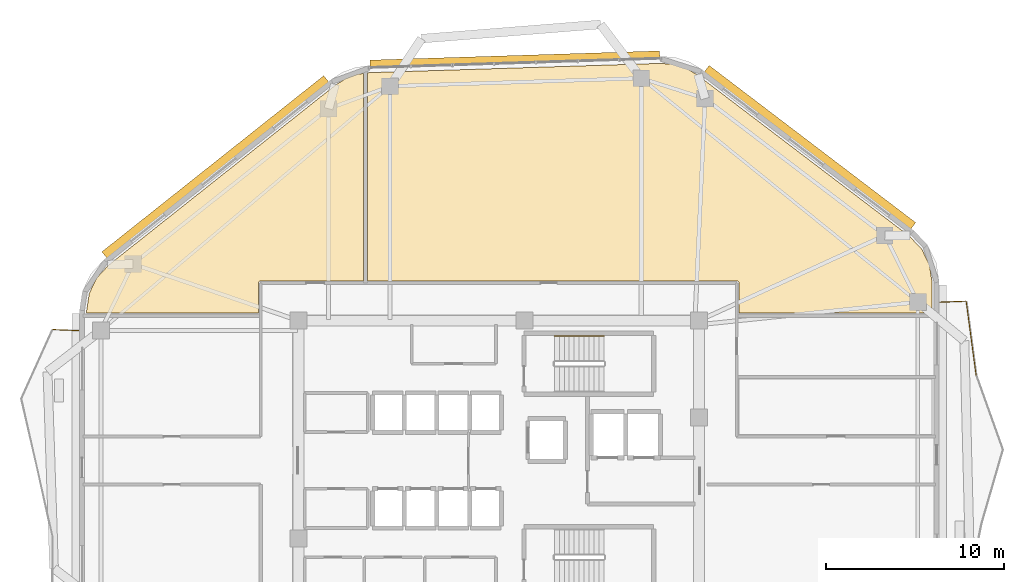
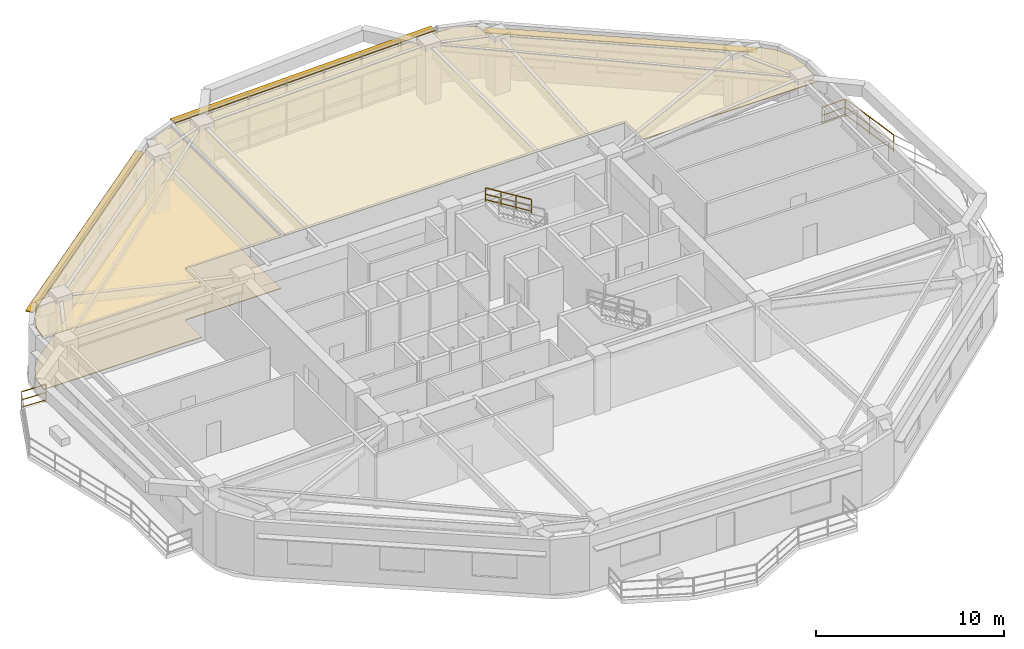
# One storey, part 12 of 12: 4 railings, 3 coverings, 3 shading devices.
"""IFC4 building model written with IfcOpenShell, lengths in metres."""

from ifc_helpers import new_model, si_unit, direction, frame, origin, origin_2d, place, context, subcontext, project, spatial, polyline, rectangle, outline, extrude, material, layer, layer_set, type_object, element, save


model = new_model("IFC4")

# Units and contexts
model_context = context("Model", 3, precision=1e-05, world=origin(), true_north=direction((0.0, 1.0)))
body_context = subcontext(model_context, "Body", "Model", "MODEL_VIEW")
ifc_project = project(units=[si_unit("LENGTHUNIT", "METRE"), si_unit("AREAUNIT", "SQUARE_METRE"), si_unit("VOLUMEUNIT", "CUBIC_METRE"), si_unit("PLANEANGLEUNIT", "RADIAN"), si_unit("MASSUNIT", "GRAM", prefix="KILO")], contexts=[model_context])

# Site, building, storey
site_placement = place(None, origin())
site = spatial("IfcSite", under=ifc_project, at=site_placement, CompositionType="ELEMENT")
building_placement = place(site_placement, origin())
building = spatial("IfcBuilding", under=site, at=building_placement, Name="Zulverin Broadcast Headquarters", CompositionType="ELEMENT")
storey_placement = place(building_placement, frame((0.0, 0.0, 170.60009765625)))
storey = spatial("IfcBuildingStorey", under=building, at=storey_placement, Name="L43", CompositionType="ELEMENT", Elevation=170.60009765625)

# Coverings
ifc_material_1 = material(Name="Perforated pale-metal acoustic baffle ceiling", Category="aluminium")
ifc_layer_1 = layer(ifc_material_1, 0.0400390625, Name="Perforated pale-metal acoustic baffle ceiling", Category="aluminium")
ifc_layer_set_1 = layer_set([ifc_layer_1], Name="Perforated pale-metal acoustic baffle ceiling")
covering_type_1 = type_object("IfcCoveringType", Name="COV-CEIL-ACOU", PredefinedType="CEILING", material=ifc_layer_set_1)
covering_1_placement = place(storey_placement, frame((0.0, 0.0, 3.35986328125)))
element("IfcCovering", 1, at=covering_1_placement, inside=storey, type_object=covering_type_1, Name="L43 Acoustic Baffle Ceiling 01", PredefinedType="CEILING", context=body_context, shape_type="SweptSolid", body=[
    extrude(outline(polyline([(29.031982421875, 46.944091796875), (28.39599609375, 46.7080078125), (27.800048828125, 46.33203125), (15.031982421875, 36.199951171875), (14.364013671875, 35.47607421875), (13.947998046875, 34.615966796875), (13.800048828125, 33.64404296875), (13.800048828125, 33.5), (23.47998046875, 33.5), (23.47998046875, 35.199951171875), (23.47998046875, 35.2119140625), (23.48388671875, 35.22412109375), (23.48388671875, 35.236083984375), (23.488037109375, 35.243896484375), (23.49609375, 35.256103515625), (23.5, 35.26806640625), (23.508056640625, 35.27587890625), (23.51611328125, 35.283935546875), (23.52392578125, 35.2919921875), (23.531982421875, 35.300048828125), (23.5439453125, 35.303955078125), (23.555908203125, 35.31201171875), (23.56396484375, 35.31591796875), (23.575927734375, 35.31591796875), (23.587890625, 35.320068359375), (23.60009765625, 35.320068359375), (29.3798828125, 35.320068359375), (29.3798828125, 46.991943359375), (29.031982421875, 46.944091796875)])), origin(), (0.0, 0.0, 1.0), 0.0400390625),
])
covering_2_placement = place(storey_placement, frame((0.0, 0.0, 3.35986328125)))
element("IfcCovering", 2, at=covering_2_placement, inside=storey, type_object=covering_type_1, Name="L43 Acoustic Baffle Ceiling 02", PredefinedType="CEILING", context=body_context, shape_type="SweptSolid", body=[
    extrude(outline(polyline([(60.112060546875, 37.840087890625), (48.2080078125, 46.89208984375), (47.568115234375, 47.27587890625), (46.8759765625, 47.49609375), (46.1279296875, 47.56005859375), (29.73193359375, 47.0400390625), (29.6201171875, 47.02392578125), (29.6201171875, 35.320068359375), (50.39990234375, 35.320068359375), (50.412109375, 35.320068359375), (50.424072265625, 35.31591796875), (50.43603515625, 35.31591796875), (50.444091796875, 35.31201171875), (50.4560546875, 35.303955078125), (50.468017578125, 35.300048828125), (50.47607421875, 35.2919921875), (50.48388671875, 35.283935546875), (50.491943359375, 35.27587890625), (50.5, 35.26806640625), (50.50390625, 35.256103515625), (50.511962890625, 35.243896484375), (50.51611328125, 35.236083984375), (50.51611328125, 35.22412109375), (50.52001953125, 35.2119140625), (50.52001953125, 35.199951171875), (50.52001953125, 33.5), (61.39990234375, 33.5), (61.39990234375, 35.239990234375), (61.243896484375, 36.236083984375), (60.81201171875, 37.112060546875), (60.112060546875, 37.840087890625)])), origin(), (0.0, 0.0, 1.0), 0.0400390625),
])
ifc_material_2 = material(Name="Anti-static broadcast raised access flooring", Category="stone")
ifc_layer_2 = layer(ifc_material_2, 0.050048828125, Name="Anti-static broadcast raised access flooring", Category="stone")
ifc_layer_set_2 = layer_set([ifc_layer_2], Name="Anti-static broadcast raised access flooring")
covering_type_2 = type_object("IfcCoveringType", Name="COV-FLR-RAISED", PredefinedType="FLOORING", material=ifc_layer_set_2)
covering_3_placement = place(storey_placement, origin())
element("IfcCovering", 3, at=covering_3_placement, inside=storey, type_object=covering_type_2, Name="L43 Broadcast Raised Access Flooring 01", PredefinedType="FLOORING", context=body_context, shape_type="SweptSolid", body=[
    extrude(outline(polyline([(29.031982421875, 46.944091796875), (28.39599609375, 46.7080078125), (27.800048828125, 46.33203125), (15.031982421875, 36.199951171875), (14.364013671875, 35.47607421875), (13.947998046875, 34.615966796875), (13.800048828125, 33.64404296875), (13.800048828125, 33.5), (23.47998046875, 33.5), (23.47998046875, 35.199951171875), (23.47998046875, 35.2119140625), (23.48388671875, 35.22412109375), (23.48388671875, 35.236083984375), (23.488037109375, 35.243896484375), (23.49609375, 35.256103515625), (23.5, 35.26806640625), (23.508056640625, 35.27587890625), (23.51611328125, 35.283935546875), (23.52392578125, 35.2919921875), (23.531982421875, 35.300048828125), (23.5439453125, 35.303955078125), (23.555908203125, 35.31201171875), (23.56396484375, 35.31591796875), (23.575927734375, 35.31591796875), (23.587890625, 35.320068359375), (23.60009765625, 35.320068359375), (29.3798828125, 35.320068359375), (29.3798828125, 46.991943359375), (29.031982421875, 46.944091796875)])), origin(), (0.0, 0.0, 1.0), 0.0498046875),
])

# Railings
ifc_material_3 = material(Name="Brushed stainless steel & laminated glass balustrade", Category="steel")
railing_type_1 = type_object("IfcRailingType", Name="RL-GUARD-1150", PredefinedType="GUARDRAIL", material=ifc_material_3)
railing_1_placement = place(storey_placement, frame((63.877197265625, 30.0107421875, 0.0)))
element("IfcRailing", 4, at=railing_1_placement, inside=storey, type_object=railing_type_1, Name="L43 Vertical-Forest Balcony Guardrail BAL_E Segment 05", PredefinedType="GUARDRAIL", context=body_context, shape_type="SweptSolid", body=[
    extrude(rectangle(XDim=0.048095703125, YDim=0.048095703125, at=origin_2d()), frame((0.0, 0.0, 1.1259765625), z_axis=(-0.132729539828, 0.991152293675, 0.0), x_axis=(-0.991152293675, -0.132729539828, 0.0)), (0.0, 0.0, 1.0), 4.182861328125),
    extrude(rectangle(XDim=0.0419921875, YDim=0.0419921875, at=origin_2d()), frame((0.0, 0.0, 0.597900390625), z_axis=(-0.132729539828, 0.991152293675, 0.0), x_axis=(-0.991152293675, -0.132729539828, 0.0)), (0.0, 0.0, 1.0), 4.182861328125),
    extrude(rectangle(XDim=0.0419921875, YDim=0.0419921875, at=origin_2d()), frame((0.0, 0.0, 0.1201171875), z_axis=(-0.132729539828, 0.991152293675, 0.0), x_axis=(-0.991152293675, -0.132729539828, 0.0)), (0.0, 0.0, 1.0), 4.182861328125),
    extrude(rectangle(XDim=0.0419921875, YDim=0.0419921875, at=origin_2d()), origin(), (0.0, 0.0, 1.0), 1.101806640625),
    extrude(rectangle(XDim=0.0419921875, YDim=0.0419921875, at=origin_2d()), frame((-0.277587890625, 2.07275390625, 0.0)), (0.0, 0.0, 1.0), 1.101806640625),
    extrude(rectangle(XDim=0.0419921875, YDim=0.0419921875, at=origin_2d()), frame((-0.55517578125, 4.145751953125, 0.0)), (0.0, 0.0, 1.0), 1.101806640625),
])
railing_2_placement = place(storey_placement, frame((63.304931640625, 34.1708984375, 0.0)))
element("IfcRailing", 5, at=railing_2_placement, inside=storey, type_object=railing_type_1, Name="L43 Vertical-Forest Balcony Guardrail BAL_E Segment 06", PredefinedType="GUARDRAIL", context=body_context, shape_type="SweptSolid", body=[
    extrude(rectangle(XDim=0.048095703125, YDim=0.048095703125, at=origin_2d()), frame((0.0, 0.0, 1.1259765625), z_axis=(-0.99918088253, -0.040466825742, 0.0), x_axis=(0.040466825742, -0.99918088253, 0.0)), (0.0, 0.0, 1.0), 1.466064453125),
    extrude(rectangle(XDim=0.0419921875, YDim=0.0419921875, at=origin_2d()), frame((0.0, 0.0, 0.597900390625), z_axis=(-0.99918088253, -0.040466825742, 0.0), x_axis=(0.040466825742, -0.99918088253, 0.0)), (0.0, 0.0, 1.0), 1.466064453125),
    extrude(rectangle(XDim=0.0419921875, YDim=0.0419921875, at=origin_2d()), frame((0.0, 0.0, 0.1201171875), z_axis=(-0.99918088253, -0.040466825742, 0.0), x_axis=(0.040466825742, -0.99918088253, 0.0)), (0.0, 0.0, 1.0), 1.466064453125),
    extrude(rectangle(XDim=0.0419921875, YDim=0.0419921875, at=origin_2d()), origin(), (0.0, 0.0, 1.0), 1.101806640625),
    extrude(rectangle(XDim=0.0419921875, YDim=0.0419921875, at=origin_2d()), frame((-1.46484375, -0.059326171875, 0.0)), (0.0, 0.0, 1.0), 1.101806640625),
])
railing_3_placement = place(storey_placement, frame((13.360107421875, 32.51318359375, 0.0)))
element("IfcRailing", 6, at=railing_3_placement, inside=storey, type_object=railing_type_1, Name="L43 Vertical-Forest Balcony Guardrail BAL_W Segment 01", PredefinedType="GUARDRAIL", context=body_context, shape_type="SweptSolid", body=[
    extrude(rectangle(XDim=0.048095703125, YDim=0.048095703125, at=origin_2d()), frame((0.0, 0.0, 1.1259765625), z_axis=(-0.999181155166, 0.040460093435, 0.0), x_axis=(-0.040460093435, -0.999181155166, 0.0)), (0.0, 0.0, 1.0), 1.46630859375),
    extrude(rectangle(XDim=0.0419921875, YDim=0.0419921875, at=origin_2d()), frame((0.0, 0.0, 0.597900390625), z_axis=(-0.999181155166, 0.040460093435, 0.0), x_axis=(-0.040460093435, -0.999181155166, 0.0)), (0.0, 0.0, 1.0), 1.46630859375),
    extrude(rectangle(XDim=0.0419921875, YDim=0.0419921875, at=origin_2d()), frame((0.0, 0.0, 0.1201171875), z_axis=(-0.999181155166, 0.040460093435, 0.0), x_axis=(-0.040460093435, -0.999181155166, 0.0)), (0.0, 0.0, 1.0), 1.46630859375),
    extrude(rectangle(XDim=0.0419921875, YDim=0.0419921875, at=origin_2d()), origin(), (0.0, 0.0, 1.0), 1.101806640625),
    extrude(rectangle(XDim=0.0419921875, YDim=0.0419921875, at=origin_2d()), frame((-1.465087890625, 0.059326171875, 0.0)), (0.0, 0.0, 1.0), 1.101806640625),
])
ifc_material_4 = material(Name="Brushed stainless steel 48 mm handrail", Category="steel")
railing_type_2 = type_object("IfcRailingType", Name="RL-ST-HAND", PredefinedType="HANDRAIL", material=ifc_material_4)
railing_4_placement = place(storey_placement, frame((42.929931640625, 32.199951171875, 2.072509765625)))
element("IfcRailing", 7, at=railing_4_placement, inside=storey, type_object=railing_type_2, Name="L43 ST-1 stair handrail 2", PredefinedType="HANDRAIL", context=body_context, shape_type="SweptSolid", body=[
    extrude(rectangle(XDim=0.048095703125, YDim=0.048095703125, at=origin_2d()), frame((0.0, 0.0, 0.8759765625), z_axis=(-0.851089632645, 0.0, 0.525020415988), x_axis=(0.0, -1.0, 0.0)), (0.0, 0.0, 1.0), 3.2900390625),
    extrude(rectangle(XDim=0.0419921875, YDim=0.0419921875, at=origin_2d()), frame((0.0, 0.0, 0.468017578125), z_axis=(-0.851089632645, 0.0, 0.525020415988), x_axis=(0.0, -1.0, 0.0)), (0.0, 0.0, 1.0), 3.2900390625),
    extrude(rectangle(XDim=0.0419921875, YDim=0.0419921875, at=origin_2d()), frame((0.0, 0.0, 0.1201171875), z_axis=(-0.851089632645, 0.0, 0.525020415988), x_axis=(0.0, -1.0, 0.0)), (0.0, 0.0, 1.0), 3.2900390625),
    extrude(rectangle(XDim=0.0419921875, YDim=0.0419921875, at=origin_2d()), origin(), (0.0, 0.0, 1.0), 0.851806640625),
    extrude(rectangle(XDim=0.0419921875, YDim=0.0419921875, at=origin_2d()), frame((-0.933349609375, 0.0, 0.57568359375)), (0.0, 0.0, 1.0), 0.851806640625),
    extrude(rectangle(XDim=0.0419921875, YDim=0.0419921875, at=origin_2d()), frame((-1.86669921875, 0.0, 1.151611328125)), (0.0, 0.0, 1.0), 0.851806640625),
    extrude(rectangle(XDim=0.0419921875, YDim=0.0419921875, at=origin_2d()), frame((-2.800048828125, 0.0, 1.727294921875)), (0.0, 0.0, 1.0), 0.851806640625),
])

# Shading devices
ifc_material_5 = material(Name="Anodized pale-metal aluminium sunshade", Category="aluminium")
ifc_layer_3 = layer(ifc_material_5, 0.06005859375, Name="Anodized pale-metal aluminium sunshade", Category="aluminium")
ifc_layer_set_3 = layer_set([ifc_layer_3], Name="Anodized pale-metal aluminium sunshade")
shading_device_type = type_object("IfcShadingDeviceType", Name="SS-01_PALE_METAL_ALUMINIUM_SUNSHADE", PredefinedType="USERDEFINED", material=ifc_layer_set_3)
shading_device_1_placement = place(storey_placement, frame((54.527587890625, 42.840576171875, 2.7099609375), z_axis=(0.0, 0.0, 1.0), x_axis=(-0.795836111996, 0.605512083152, 0.0)))
element("IfcShadingDevice", 8, at=shading_device_1_placement, inside=storey, type_object=shading_device_type, Name="L43 Horizontal Pale-Metal Sunshade Band 4", ObjectType="SUNSHADE", PredefinedType="USERDEFINED", context=body_context, shape_type="SweptSolid", body=[
    extrude(rectangle(XDim=14.61181640625, YDim=0.449951171875, at=origin_2d()), origin(), (0.0, 0.0, 1.0), 0.06005859375),
])
shading_device_2_placement = place(storey_placement, frame((37.914306640625, 47.778564453125, 3.309814453125), z_axis=(0.0, 0.0, 1.0), x_axis=(-0.999497141269, -0.031709061709, 0.0)))
element("IfcShadingDevice", 9, at=shading_device_2_placement, inside=storey, type_object=shading_device_type, Name="L43 Pale-Metal Horizontal Sunshade Band CW-L43-E5", ObjectType="SUNSHADE", PredefinedType="USERDEFINED", context=body_context, shape_type="SweptSolid", body=[
    extrude(rectangle(XDim=16.3125, YDim=0.449951171875, at=origin_2d()), origin(), (0.0, 0.0, 1.0), 0.06005859375),
])
shading_device_3_placement = place(storey_placement, frame((21.0419921875, 41.73291015625, 2.7099609375), z_axis=(0.0, 0.0, 1.0), x_axis=(-0.783270473924, -0.621681079556, 0.0)))
element("IfcShadingDevice", 10, at=shading_device_3_placement, inside=storey, type_object=shading_device_type, Name="L43 Horizontal Pale-Metal Sunshade Band 6", ObjectType="SUNSHADE", PredefinedType="USERDEFINED", context=body_context, shape_type="SweptSolid", body=[
    extrude(rectangle(XDim=15.953125, YDim=0.449951171875, at=origin_2d()), origin(), (0.0, 0.0, 1.0), 0.06005859375),
])

save(model, "model.ifc")
